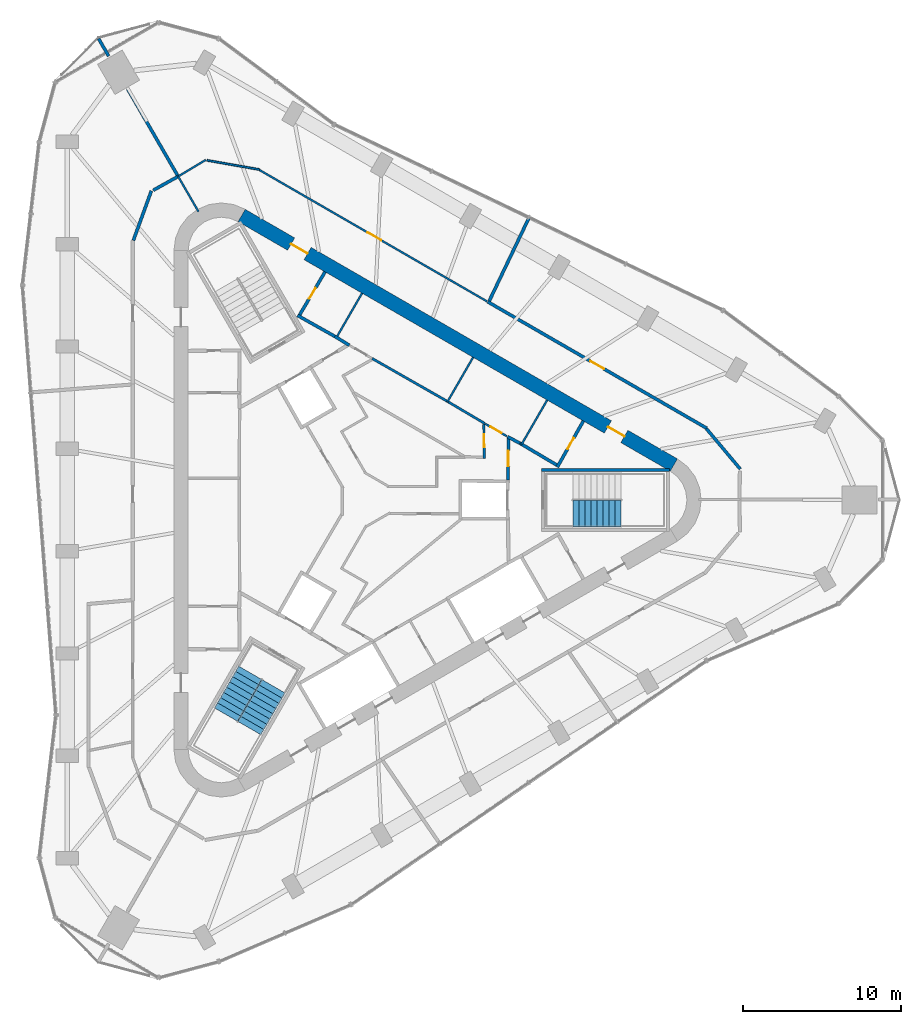
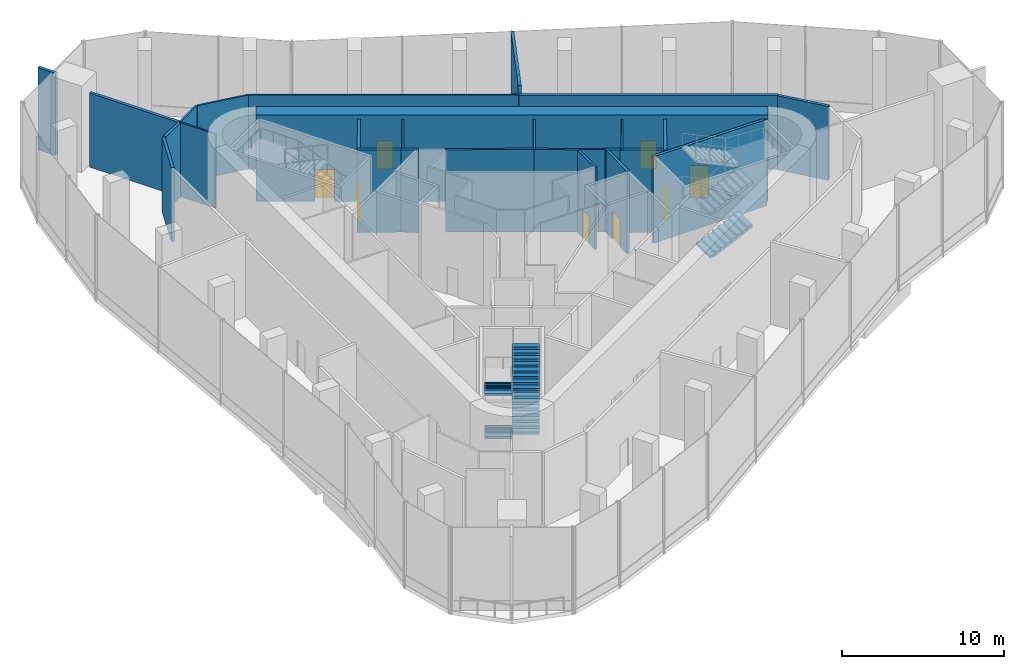
# One storey, part 10 of 13: 27 walls, 9 doors, 6 stair flights, 9 openings, 2 elements without a shape of their own.
"""IFC4 building model written with IfcOpenShell, lengths in metres."""

from ifc_helpers import new_model, si_unit, direction, frame, frame_2d, origin, place, context, subcontext, project, spatial, polyline, rectangle, outline, extrude, material, layer, layer_set, type_object, element, fill, aggregate, save


model = new_model("IFC4")

# Units and contexts
model_context = context("Model", 3, precision=1e-05, world=origin(), true_north=direction((0.0, 1.0)))
body_context = subcontext(model_context, "Body", "Model", "MODEL_VIEW")
ifc_project = project(units=[si_unit("LENGTHUNIT", "METRE"), si_unit("AREAUNIT", "SQUARE_METRE"), si_unit("VOLUMEUNIT", "CUBIC_METRE"), si_unit("PLANEANGLEUNIT", "RADIAN"), si_unit("MASSUNIT", "GRAM", prefix="KILO")], contexts=[model_context])

# Site, building, storey
site_placement = place(None, origin())
site = spatial("IfcSite", under=ifc_project, at=site_placement, CompositionType="ELEMENT")
building_placement = place(site_placement, origin())
building = spatial("IfcBuilding", under=site, at=building_placement, Name="Tanit Gate Tower", CompositionType="ELEMENT")
storey_placement = place(building_placement, frame((0.0, 0.0, 398.300048828125)))
storey = spatial("IfcBuildingStorey", under=building, at=storey_placement, Name="L91", CompositionType="ELEMENT", Elevation=398.300048828125)

# Wall, openings, doors
ifc_material_1 = material(Name="Concrete C40/50", Category="concrete")
ifc_layer_1 = layer(ifc_material_1, 0.89990234375)
ifc_layer_set_1 = layer_set([ifc_layer_1], Name="CORE WALL 900 C40/50")
wall_type_1 = type_object("IfcWallType", Name="CORE WALL 900 C40/50", PredefinedType="SHEAR", material=ifc_layer_set_1)
wall_1_placement = place(storey_placement, frame((19.47509765625, 2.20849609375, 0.0), z_axis=(0.0, 0.0, 1.0), x_axis=(-0.866028369851, 0.499994862586, 0.0)))
wall_1 = element("IfcWall", 1, at=wall_1_placement, inside=storey, type_object=wall_type_1, Name="CORE WALL", PredefinedType="SHEAR", context=body_context, shape_type="SweptSolid", body=[
    extrude(rectangle(XDim=31.523193359375, YDim=0.89990234375, at=frame_2d((15.76171875, 0.0))), origin(), (0.0, 0.0, 1.0), 6.5),
])
opening_1_placement = place(wall_1_placement, frame((3.611572265625, 0.0, 0.0)))
opening_1 = element("IfcOpeningElement", 2, at=opening_1_placement, cuts=wall_1, Name="Opening F12-91-FL1", PredefinedType="OPENING", context=body_context, shape_type="SweptSolid", body=[
    extrude(rectangle(XDim=1.199951171875, YDim=2.39990234375, at=frame_2d((0.60009765625, 1.199951171875))), frame((0.0, 0.4599609375, 0.0), z_axis=(0.0, -1.0, 0.0), x_axis=(1.0, 0.0, 0.0)), (0.0, 0.0, 1.0), 0.919921875),
])
opening_2_placement = place(wall_1_placement, frame((26.711669921875, 0.0, 0.0)))
opening_2 = element("IfcOpeningElement", 3, at=opening_2_placement, cuts=wall_1, Name="Opening F12-91-S2", PredefinedType="OPENING", context=body_context, shape_type="SweptSolid", body=[
    extrude(rectangle(XDim=1.199951171875, YDim=2.39990234375, at=frame_2d((0.60009765625, 1.199951171875))), frame((0.0, 0.4599609375, 0.0), z_axis=(0.0, -1.0, 0.0), x_axis=(1.0, 0.0, 0.0)), (0.0, 0.0, 1.0), 0.919921875),
])
ifc_material_2 = material(Name="Fire-rated steel door leaf", Category="steel")
door_type_1 = type_object("IfcDoorType", Name="INT-DOOR-FIRE-LOBBY-1200", OperationType="NOTDEFINED", PredefinedType="USERDEFINED", material=ifc_material_2)
door_1_placement = place(opening_1_placement, origin())
door_1 = element("IfcDoor", 4, at=door_1_placement, inside=storey, type_object=door_type_1, Name="Door F12-91-FL1", ObjectType="FIRE DOOR", OperationType="SINGLE_SWING_RIGHT", OverallHeight=2.39990234375, OverallWidth=1.199951171875, PredefinedType="USERDEFINED", context=body_context, shape_type="SweptSolid", body=[
    extrude(rectangle(XDim=1.199951171875, YDim=2.39990234375, at=frame_2d((0.60009765625, 1.199951171875))), frame((0.0, 0.02490234375, 0.0), z_axis=(0.0, -1.0, 0.0), x_axis=(1.0, 0.0, 0.0)), (0.0, 0.0, 1.0), 0.050048828125),
])
fill(opening_1, door_1)
door_2_placement = place(opening_2_placement, origin())
door_2 = element("IfcDoor", 5, at=door_2_placement, inside=storey, type_object=door_type_1, Name="Door F12-91-S2", ObjectType="FIRE DOOR", OperationType="SINGLE_SWING_RIGHT", OverallHeight=2.39990234375, OverallWidth=1.199951171875, PredefinedType="USERDEFINED", context=body_context, shape_type="SweptSolid", body=[
    extrude(rectangle(XDim=1.199951171875, YDim=2.39990234375, at=frame_2d((0.60009765625, 1.199951171875))), frame((0.0, 0.02490234375, 0.0), z_axis=(0.0, -1.0, 0.0), x_axis=(1.0, 0.0, 0.0)), (0.0, 0.0, 1.0), 0.050048828125),
])
fill(opening_2, door_2)

# Wall, opening, door
ifc_material_3 = material(Name="Fire-rated gypsum board partition")
ifc_layer_2 = layer(ifc_material_3, 0.199951171875)
ifc_layer_set_2 = layer_set([ifc_layer_2], Name="INT-WALL-COMPARTMENT")
wall_type_2 = type_object("IfcWallType", Name="INT-WALL-COMPARTMENT", PredefinedType="PARTITIONING", material=ifc_layer_set_2)
wall_2_placement = place(storey_placement, frame((12.10986328125, 2.07275390625, 0.0), z_axis=(0.0, 0.0, 1.0), x_axis=(0.49196600604, 0.870614408852, 0.0)))
wall_2 = element("IfcWall", 6, at=wall_2_placement, inside=storey, type_object=wall_type_2, Name="Wall Compartment W050", PredefinedType="PARTITIONING", context=body_context, shape_type="SweptSolid", body=[
    extrude(rectangle(XDim=3.35009765625, YDim=0.199951171875, at=frame_2d((1.675048828125, 0.0))), origin(), (0.0, 0.0, 1.0), 6.199951171875),
])
opening_3_placement = place(wall_2_placement, frame((1.3251953125, 0.0, 0.0)))
opening_3 = element("IfcOpeningElement", 7, at=opening_3_placement, cuts=wall_2, Name="Opening R08-91-19", PredefinedType="OPENING", context=body_context, shape_type="SweptSolid", body=[
    extrude(rectangle(XDim=0.800048828125, YDim=2.10009765625, at=frame_2d((0.39990234375, 1.050048828125))), frame((0.0, 0.10986328125, 0.0), z_axis=(0.0, -1.0, 0.0), x_axis=(1.0, 0.0, 0.0)), (0.0, 0.0, 1.0), 0.219970703125),
])
ifc_material_4 = material(Name="Timber door leaf", Category="wood")
door_type_2 = type_object("IfcDoorType", Name="INT-DOOR-RISER-800", OperationType="NOTDEFINED", PredefinedType="USERDEFINED", material=ifc_material_4)
door_3_placement = place(opening_3_placement, origin())
door_3 = element("IfcDoor", 8, at=door_3_placement, inside=storey, type_object=door_type_2, Name="Door R08-91-19", ObjectType="FIRE DOOR", OperationType="SINGLE_SWING_LEFT", OverallHeight=2.10009765625, OverallWidth=0.800048828125, PredefinedType="USERDEFINED", context=body_context, shape_type="SweptSolid", body=[
    extrude(rectangle(XDim=0.800048828125, YDim=2.10009765625, at=frame_2d((0.39990234375, 1.050048828125))), frame((0.0, 0.02490234375, 0.0), z_axis=(0.0, -1.0, 0.0), x_axis=(1.0, 0.0, 0.0)), (0.0, 0.0, 1.0), 0.050048828125),
])
fill(opening_3, door_3)

# Walls
wall_3_placement = place(storey_placement, frame((9.749755859375, 3.5869140625, 0.0), z_axis=(0.0, 0.0, 1.0), x_axis=(0.860414880418, -0.509594185166, 0.0)))
element("IfcWall", 9, at=wall_3_placement, inside=storey, type_object=wall_type_2, Name="Wall Compartment W051", PredefinedType="PARTITIONING", context=body_context, shape_type="SweptSolid", body=[
    extrude(rectangle(XDim=2.7001953125, YDim=0.199951171875, at=frame_2d((1.35009765625, 0.0))), origin(), (0.0, 0.0, 1.0), 6.199951171875),
])
wall_4_placement = place(storey_placement, frame((8.97412109375, 3.998779296875, 0.0), z_axis=(0.0, 0.0, 1.0), x_axis=(0.880917147855, -0.473270513147, 0.0)))
element("IfcWall", 10, at=wall_4_placement, inside=storey, type_object=wall_type_2, Name="Wall Compartment W053", PredefinedType="PARTITIONING", context=body_context, shape_type="SweptSolid", body=[
    extrude(rectangle(XDim=0.8779296875, YDim=0.199951171875, at=frame_2d((0.43896484375, 0.0))), origin(), (0.0, 0.0, 1.0), 6.199951171875),
])
wall_5_placement = place(storey_placement, frame((-1.940673828125, 10.338623046875, 0.0), z_axis=(0.0, 0.0, 1.0), x_axis=(0.850216889117, -0.526432561171, 0.0)))
element("IfcWall", 11, at=wall_5_placement, inside=storey, type_object=wall_type_2, Name="Wall Compartment W057", PredefinedType="PARTITIONING", context=body_context, shape_type="SweptSolid", body=[
    extrude(rectangle(XDim=1.078369140625, YDim=0.199951171875, at=frame_2d((0.5390625, 0.0))), origin(), (0.0, 0.0, 1.0), 6.199951171875),
])
wall_6_placement = place(storey_placement, frame((-4.296142578125, 11.658935546875, 0.0), z_axis=(0.0, 0.0, 1.0), x_axis=(0.871534483978, -0.490334215854, 0.0)))
element("IfcWall", 12, at=wall_6_placement, inside=storey, type_object=wall_type_2, Name="Wall Compartment W060", PredefinedType="PARTITIONING", context=body_context, shape_type="SweptSolid", body=[
    extrude(rectangle(XDim=2.7001953125, YDim=0.199951171875, at=frame_2d((1.35009765625, 0.0))), origin(), (0.0, 0.0, 1.0), 6.199951171875),
])

# Wall, opening, door
wall_7_placement = place(storey_placement, frame((-2.557861328125, 14.409423828125, 0.0), z_axis=(0.0, 0.0, 1.0), x_axis=(-0.508018930956, -0.861345903683, 0.0)))
wall_7 = element("IfcWall", 13, at=wall_7_placement, inside=storey, type_object=wall_type_2, Name="Wall Compartment W061", PredefinedType="PARTITIONING", context=body_context, shape_type="SweptSolid", body=[
    extrude(rectangle(XDim=3.150146484375, YDim=0.199951171875, at=frame_2d((1.5751953125, 0.0))), origin(), (0.0, 0.0, 1.0), 6.199951171875),
])
opening_4_placement = place(wall_7_placement, frame((1.175048828125, 0.0, 0.0)))
opening_4 = element("IfcOpeningElement", 14, at=opening_4_placement, cuts=wall_7, Name="Opening R08-91-22", PredefinedType="OPENING", context=body_context, shape_type="SweptSolid", body=[
    extrude(rectangle(XDim=0.800048828125, YDim=2.10009765625, at=frame_2d((0.39990234375, 1.050048828125))), frame((0.0, 0.10986328125, 0.0), z_axis=(0.0, -1.0, 0.0), x_axis=(1.0, 0.0, 0.0)), (0.0, 0.0, 1.0), 0.219970703125),
])
door_4_placement = place(opening_4_placement, origin())
door_4 = element("IfcDoor", 15, at=door_4_placement, inside=storey, type_object=door_type_2, Name="Door R08-91-22", ObjectType="FIRE DOOR", OperationType="SINGLE_SWING_RIGHT", OverallHeight=2.10009765625, OverallWidth=0.800048828125, PredefinedType="USERDEFINED", context=body_context, shape_type="SweptSolid", body=[
    extrude(rectangle(XDim=0.800048828125, YDim=2.10009765625, at=frame_2d((0.39990234375, 1.050048828125))), frame((0.0, 0.02490234375, 0.0), z_axis=(0.0, -1.0, 0.0), x_axis=(1.0, 0.0, 0.0)), (0.0, 0.0, 1.0), 0.050048828125),
])
fill(opening_4, door_4)

wall_8_placement = place(storey_placement, frame((9.0009765625, 1.27001953125, 0.0), z_axis=(0.0, 0.0, 1.0), x_axis=(0.010723968736, 0.999942496594, 0.0)))
wall_8 = element("IfcWall", 16, at=wall_8_placement, inside=storey, type_object=wall_type_2, Name="Wall Compartment W068", PredefinedType="PARTITIONING", context=body_context, shape_type="SweptSolid", body=[
    extrude(rectangle(XDim=2.709228515625, YDim=0.199951171875, at=frame_2d((1.3544921875, 0.0))), origin(), (0.0, 0.0, 1.0), 6.199951171875),
])
opening_5_placement = place(wall_8_placement, frame((0.848388671875, 0.0, 0.0)))
opening_5 = element("IfcOpeningElement", 17, at=opening_5_placement, cuts=wall_8, Name="Opening F10-91-02", PredefinedType="OPENING", context=body_context, shape_type="SweptSolid", body=[
    extrude(rectangle(XDim=1.0, YDim=2.10009765625, at=frame_2d((0.5, 1.050048828125))), frame((0.0, 0.10986328125, 0.0), z_axis=(0.0, -1.0, 0.0), x_axis=(1.0, 0.0, 0.0)), (0.0, 0.0, 1.0), 0.219970703125),
])
ifc_material_5 = material(Name="Fire-rated steel door leaf", Category="steel")
door_type_3 = type_object("IfcDoorType", Name="INT-DOOR-FIRE-1000", OperationType="NOTDEFINED", PredefinedType="USERDEFINED", material=ifc_material_5)
door_5_placement = place(opening_5_placement, origin())
door_5 = element("IfcDoor", 18, at=door_5_placement, inside=storey, type_object=door_type_3, Name="Door F10-91-02", ObjectType="FIRE DOOR", OperationType="SINGLE_SWING_RIGHT", OverallHeight=2.10009765625, OverallWidth=1.0, PredefinedType="USERDEFINED", context=body_context, shape_type="SweptSolid", body=[
    extrude(rectangle(XDim=1.0, YDim=2.10009765625, at=frame_2d((0.5, 1.050048828125))), frame((0.0, 0.02490234375, 0.0), z_axis=(0.0, -1.0, 0.0), x_axis=(1.0, 0.0, 0.0)), (0.0, 0.0, 1.0), 0.050048828125),
])
fill(opening_5, door_5)

# Walls
wall_9_placement = place(storey_placement, frame((-13.527099609375, 19.522216796875, 0.0), z_axis=(0.0, 0.0, 1.0), x_axis=(-0.341978542333, -0.939707761266, 0.0)))
element("IfcWall", 19, at=wall_9_placement, inside=storey, type_object=wall_type_2, Name="Wall Compartment W097", PredefinedType="PARTITIONING", context=body_context, shape_type="SweptSolid", body=[
    extrude(rectangle(XDim=3.32958984375, YDim=0.199951171875, at=frame_2d((1.664794921875, 0.0))), origin(), (0.0, 0.0, 1.0), 5.570068359375),
])
wall_10_placement = place(storey_placement, frame((-11.80810546875, 20.4521484375, 0.0), z_axis=(0.0, 0.0, 1.0), x_axis=(-0.873514477635, -0.486798169021, 0.0)))
element("IfcWall", 20, at=wall_10_placement, inside=storey, type_object=wall_type_2, Name="Wall Compartment W098", PredefinedType="PARTITIONING", context=body_context, shape_type="SweptSolid", body=[
    extrude(rectangle(XDim=1.82958984375, YDim=0.199951171875, at=frame_2d((0.914794921875, 0.0))), origin(), (0.0, 0.0, 1.0), 5.570068359375),
])
wall_11_placement = place(storey_placement, frame((-16.857666015625, 29.138427734375, 0.0), z_axis=(0.0, 0.0, 1.0), x_axis=(0.499950289094, -0.866054102487, 0.0)))
element("IfcWall", 21, at=wall_11_placement, inside=storey, type_object=wall_type_2, Name="Wall Compartment W107", PredefinedType="PARTITIONING", context=body_context, shape_type="SweptSolid", body=[
    extrude(rectangle(XDim=1.267822265625, YDim=0.199951171875, at=frame_2d((0.6337890625, 0.0))), origin(), (0.0, 0.0, 1.0), 6.199951171875),
])
wall_12_placement = place(storey_placement, frame((-15.02392578125, 25.962158203125, 0.0), z_axis=(0.0, 0.0, 1.0), x_axis=(0.499993152284, -0.866029357279, 0.0)))
element("IfcWall", 22, at=wall_12_placement, inside=storey, type_object=wall_type_2, Name="Wall Compartment W108", PredefinedType="PARTITIONING", context=body_context, shape_type="SweptSolid", body=[
    extrude(rectangle(XDim=6.349609375, YDim=0.199951171875, at=frame_2d((3.1748046875, 0.0))), origin(), (0.0, 0.0, 1.0), 5.570068359375),
])

# Wall, opening, door
wall_13_placement = place(storey_placement, frame((21.55224609375, 4.53076171875, 0.0), z_axis=(0.0, 0.0, 1.0), x_axis=(-0.86602469383, 0.500001229675, 0.0)))
wall_13 = element("IfcWall", 23, at=wall_13_placement, inside=storey, type_object=wall_type_2, Name="Wall Compartment W119", PredefinedType="PARTITIONING", context=body_context, shape_type="SweptSolid", body=[
    extrude(rectangle(XDim=15.97021484375, YDim=0.199951171875, at=frame_2d((7.985107421875, 0.0))), origin(), (0.0, 0.0, 1.0), 5.570068359375),
])
opening_6_placement = place(wall_13_placement, frame((7.5, 0.0, 0.0)))
opening_6 = element("IfcOpeningElement", 24, at=opening_6_placement, cuts=wall_13, Name="Opening F10-91-30", PredefinedType="OPENING", context=body_context, shape_type="SweptSolid", body=[
    extrude(rectangle(XDim=1.0, YDim=2.10009765625, at=frame_2d((0.5, 1.050048828125))), frame((0.0, 0.10986328125, 0.0), z_axis=(0.0, -1.0, 0.0), x_axis=(1.0, 0.0, 0.0)), (0.0, 0.0, 1.0), 0.219970703125),
])
door_6_placement = place(opening_6_placement, origin())
door_6 = element("IfcDoor", 25, at=door_6_placement, inside=storey, type_object=door_type_3, Name="Door F10-91-30", ObjectType="FIRE DOOR", OperationType="SINGLE_SWING_RIGHT", OverallHeight=2.10009765625, OverallWidth=1.0, PredefinedType="USERDEFINED", context=body_context, shape_type="SweptSolid", body=[
    extrude(rectangle(XDim=1.0, YDim=2.10009765625, at=frame_2d((0.5, 1.050048828125))), frame((0.0, 0.02490234375, 0.0), z_axis=(0.0, -1.0, 0.0), x_axis=(1.0, 0.0, 0.0)), (0.0, 0.0, 1.0), 0.050048828125),
])
fill(opening_6, door_6)

# Walls
wall_14_placement = place(storey_placement, frame((23.670166015625, 1.95361328125, 0.0), z_axis=(0.0, 0.0, 1.0), x_axis=(-0.642784432045, 0.766047109466, 0.0)))
element("IfcWall", 26, at=wall_14_placement, inside=storey, type_object=wall_type_2, Name="Wall Compartment W120", PredefinedType="PARTITIONING", context=body_context, shape_type="SweptSolid", body=[
    extrude(rectangle(XDim=3.32958984375, YDim=0.199951171875, at=frame_2d((1.664794921875, 0.0))), origin(), (0.0, 0.0, 1.0), 5.570068359375),
])
wall_15_placement = place(storey_placement, frame((7.817138671875, 12.576416015625, 0.0), z_axis=(0.0, 0.0, 1.0), x_axis=(0.43107042423, 0.902318286058, 0.0)))
element("IfcWall", 27, at=wall_15_placement, inside=storey, type_object=wall_type_2, Name="Wall Compartment W126", PredefinedType="PARTITIONING", context=body_context, shape_type="SweptSolid", body=[
    extrude(rectangle(XDim=5.83349609375, YDim=0.199951171875, at=frame_2d((2.916748046875, 0.0))), origin(), (0.0, 0.0, 1.0), 6.199951171875),
])
ifc_material_6 = material(Name="Gypsum board partition")
ifc_layer_3 = layer(ifc_material_6, 0.1201171875)
ifc_layer_set_3 = layer_set([ifc_layer_3], Name="INT-WALL-PARTITION")
wall_type_3 = type_object("IfcWallType", Name="INT-WALL-PARTITION", PredefinedType="PARTITIONING", material=ifc_layer_set_3)
for number, where, z_axis, x_axis, name in (
    (28, (9.8466796875, 3.494873046875, 0.0), (0.0, 0.0, 1.0), (0.499984717929, 0.866034226713, 0.0), "Wall Partition W049"),
    (29, (5.170166015625, 6.19482421875, 0.0), (0.0, 0.0, 1.0), (0.499984717929, 0.866034226713, 0.0), "Wall Partition W052"),
):
    element("IfcWall", number, at=place(storey_placement, frame(where, z_axis=z_axis, x_axis=x_axis)), inside=storey, type_object=wall_type_3, Name=name, PredefinedType="PARTITIONING", context=body_context, shape_type="SweptSolid", body=[
        extrude(rectangle(XDim=3.25, YDim=0.1201171875, at=frame_2d((1.625, 0.0))), origin(), (0.0, 0.0, 1.0), 6.199951171875),
    ])

# Wall, opening, door
wall_16_placement = place(storey_placement, frame((7.550048828125, 4.82080078125, 0.0), z_axis=(0.0, 0.0, 1.0), x_axis=(0.866019818373, -0.500009674092, 0.0)))
wall_16 = element("IfcWall", 30, at=wall_16_placement, inside=storey, type_object=wall_type_3, Name="Wall Partition W055", PredefinedType="PARTITIONING", context=body_context, shape_type="SweptSolid", body=[
    extrude(rectangle(XDim=1.59423828125, YDim=0.1201171875, at=frame_2d((0.797119140625, 0.0))), origin(), (0.0, 0.0, 1.0), 6.199951171875),
])
opening_7_placement = place(wall_16_placement, frame((0.397216796875, 0.0, 0.0)))
opening_7 = element("IfcOpeningElement", 31, at=opening_7_placement, cuts=wall_16, Name="Opening R08-91-20", PredefinedType="OPENING", context=body_context, shape_type="SweptSolid", body=[
    extrude(rectangle(XDim=0.800048828125, YDim=2.10009765625, at=frame_2d((0.39990234375, 1.050048828125))), frame((0.0, 0.070068359375, 0.0), z_axis=(0.0, -1.0, 0.0), x_axis=(1.0, 0.0, 0.0)), (0.0, 0.0, 1.0), 0.14013671875),
])
door_7_placement = place(opening_7_placement, origin())
door_7 = element("IfcDoor", 32, at=door_7_placement, inside=storey, type_object=door_type_2, Name="Door R08-91-20", ObjectType="FIRE DOOR", OperationType="SINGLE_SWING_RIGHT", OverallHeight=2.10009765625, OverallWidth=0.800048828125, PredefinedType="USERDEFINED", context=body_context, shape_type="SweptSolid", body=[
    extrude(rectangle(XDim=0.800048828125, YDim=2.10009765625, at=frame_2d((0.39990234375, 1.050048828125))), frame((0.0, 0.02490234375, 0.0), z_axis=(0.0, -1.0, 0.0), x_axis=(1.0, 0.0, 0.0)), (0.0, 0.0, 1.0), 0.050048828125),
])
fill(opening_7, door_7)

# Walls
wall_17_placement = place(storey_placement, frame((-0.2197265625, 13.0595703125, 0.0), z_axis=(0.0, 0.0, 1.0), x_axis=(-0.499984717929, -0.866034226713, 0.0)))
element("IfcWall", 33, at=wall_17_placement, inside=storey, type_object=wall_type_3, Name="Wall Partition W056", PredefinedType="PARTITIONING", context=body_context, shape_type="SweptSolid", body=[
    extrude(rectangle(XDim=3.25, YDim=0.1201171875, at=frame_2d((1.625, 0.0))), origin(), (0.0, 0.0, 1.0), 6.199951171875),
])
wall_18_placement = place(storey_placement, frame((-11.84912109375, 20.463134765625, 0.0), z_axis=(0.0, 0.0, 1.0), x_axis=(0.500047596559, -0.865997922154, 0.0)))
element("IfcWall", 34, at=wall_18_placement, inside=storey, type_object=wall_type_3, Name="Wall Partition W104", PredefinedType="PARTITIONING", context=body_context, shape_type="SweptSolid", body=[
    extrude(rectangle(XDim=2.599853515625, YDim=0.1201171875, at=frame_2d((1.2998046875, 0.0))), origin(), (0.0, 0.0, 1.0), 5.570068359375),
])
wall_19_placement = place(storey_placement, frame((-10.087158203125, 21.480712890625, 0.0), z_axis=(0.0, 0.0, 1.0), x_axis=(-0.858372726575, -0.513026570728, 0.0)))
element("IfcWall", 35, at=wall_19_placement, inside=storey, type_object=wall_type_3, Name="Wall Partition W122", PredefinedType="PARTITIONING", context=body_context, shape_type="SweptSolid", body=[
    extrude(rectangle(XDim=2.0048828125, YDim=0.1201171875, at=frame_2d((1.00244140625, 0.0))), origin(), (0.0, 0.0, 1.0), 5.570068359375),
])
wall_20_placement = place(storey_placement, frame((-6.70654296875, 20.869873046875, 0.0), z_axis=(0.0, 0.0, 1.0), x_axis=(-0.984811337603, 0.173627847217, 0.0)))
element("IfcWall", 36, at=wall_20_placement, inside=storey, type_object=wall_type_3, Name="Wall Partition W123", PredefinedType="PARTITIONING", context=body_context, shape_type="SweptSolid", body=[
    extrude(rectangle(XDim=3.360595703125, YDim=0.1201171875, at=frame_2d((1.68017578125, 0.0))), origin(), (0.0, 0.0, 1.0), 5.570068359375),
])

# Wall, opening, door
wall_21_placement = place(storey_placement, frame((7.68701171875, 12.5361328125, 0.0), z_axis=(0.0, 0.0, 1.0), x_axis=(-0.866029110027, 0.499993580544, 0.0)))
wall_21 = element("IfcWall", 37, at=wall_21_placement, inside=storey, type_object=wall_type_3, Name="Wall Partition W124", PredefinedType="PARTITIONING", context=body_context, shape_type="SweptSolid", body=[
    extrude(rectangle(XDim=16.628662109375, YDim=0.1201171875, at=frame_2d((8.314453125, 0.0))), origin(), (0.0, 0.0, 1.0), 5.570068359375),
])
opening_8_placement = place(wall_21_placement, frame((7.73193359375, 0.0, 0.0)))
opening_8 = element("IfcOpeningElement", 38, at=opening_8_placement, cuts=wall_21, Name="Opening D10-91-31", PredefinedType="OPENING", context=body_context, shape_type="SweptSolid", body=[
    extrude(rectangle(XDim=1.0, YDim=2.10009765625, at=frame_2d((0.5, 1.050048828125))), frame((0.0, 0.070068359375, 0.0), z_axis=(0.0, -1.0, 0.0), x_axis=(1.0, 0.0, 0.0)), (0.0, 0.0, 1.0), 0.14013671875),
])
ifc_material_7 = material(Name="Timber door leaf", Category="wood")
door_type_4 = type_object("IfcDoorType", Name="INT-DOOR-SINGLE-1000", OperationType="NOTDEFINED", PredefinedType="NOTDEFINED", material=ifc_material_7)
door_8_placement = place(opening_8_placement, origin())
door_8 = element("IfcDoor", 39, at=door_8_placement, inside=storey, type_object=door_type_4, Name="Door D10-91-31", OperationType="SINGLE_SWING_LEFT", OverallHeight=2.10009765625, OverallWidth=1.0, PredefinedType="NOTDEFINED", context=body_context, shape_type="SweptSolid", body=[
    extrude(rectangle(XDim=1.0, YDim=2.10009765625, at=frame_2d((0.5, 1.050048828125))), frame((0.0, 0.02490234375, 0.0), z_axis=(0.0, -1.0, 0.0), x_axis=(1.0, 0.0, 0.0)), (0.0, 0.0, 1.0), 0.050048828125),
])
fill(opening_8, door_8)

# Walls
ifc_material_8 = material(Name="Fire-rated gypsum board partition")
ifc_layer_4 = layer(ifc_material_8, 0.14990234375)
ifc_layer_set_4 = layer_set([ifc_layer_4], Name="INT-WALL-RISER")
wall_type_4 = type_object("IfcWallType", Name="INT-WALL-RISER", PredefinedType="PLUMBINGWALL", material=ifc_layer_set_4)
wall_22_placement = place(storey_placement, frame((7.530029296875, 4.83251953125, 0.0), z_axis=(0.0, 0.0, 1.0), x_axis=(-0.860550523279, 0.509365091938, 0.0)))
element("IfcWall", 40, at=wall_22_placement, inside=storey, type_object=wall_type_4, Name="Wall Riser W054", PredefinedType="PLUMBINGWALL", context=body_context, shape_type="SweptSolid", body=[
    extrude(rectangle(XDim=2.755126953125, YDim=0.14990234375, at=frame_2d((1.37744140625, 0.0))), origin(), (0.0, 0.0, 1.0), 6.199951171875),
])
wall_23_placement = place(storey_placement, frame((0.419921875, 8.9375, 0.0), z_axis=(0.0, 0.0, 1.0), x_axis=(0.868754934783, -0.495242226886, 0.0)))
element("IfcWall", 41, at=wall_23_placement, inside=storey, type_object=wall_type_4, Name="Wall Riser W058", PredefinedType="PLUMBINGWALL", context=body_context, shape_type="SweptSolid", body=[
    extrude(rectangle(XDim=5.455322265625, YDim=0.14990234375, at=frame_2d((2.7275390625, 0.0))), origin(), (0.0, 0.0, 1.0), 6.199951171875),
])

# Wall, opening, door
wall_24_placement = place(storey_placement, frame((7.5009765625, 2.625, 0.0), z_axis=(0.0, 0.0, 1.0), x_axis=(-0.011799927307, 0.999930378434, 0.0)))
wall_24 = element("IfcWall", 42, at=wall_24_placement, inside=storey, type_object=wall_type_4, Name="Wall Riser W087", PredefinedType="PLUMBINGWALL", context=body_context, shape_type="SweptSolid", body=[
    extrude(rectangle(XDim=2.15185546875, YDim=0.14990234375, at=frame_2d((1.075927734375, 0.0))), origin(), (0.0, 0.0, 1.0), 6.199951171875),
])
opening_9_placement = place(wall_24_placement, frame((0.71337890625, 0.0, 0.0)))
opening_9 = element("IfcOpeningElement", 43, at=opening_9_placement, cuts=wall_24, Name="Opening R08-91-13", PredefinedType="OPENING", context=body_context, shape_type="SweptSolid", body=[
    extrude(rectangle(XDim=0.800048828125, YDim=2.10009765625, at=frame_2d((0.39990234375, 1.050048828125))), frame((0.0, 0.0849609375, 0.0), z_axis=(0.0, -1.0, 0.0), x_axis=(1.0, 0.0, 0.0)), (0.0, 0.0, 1.0), 0.169921875),
])
door_9_placement = place(opening_9_placement, origin())
door_9 = element("IfcDoor", 44, at=door_9_placement, inside=storey, type_object=door_type_2, Name="Door R08-91-13", ObjectType="FIRE DOOR", OperationType="SINGLE_SWING_LEFT", OverallHeight=2.10009765625, OverallWidth=0.800048828125, PredefinedType="USERDEFINED", context=body_context, shape_type="SweptSolid", body=[
    extrude(rectangle(XDim=0.800048828125, YDim=2.10009765625, at=frame_2d((0.39990234375, 1.050048828125))), frame((0.0, 0.02490234375, 0.0), z_axis=(0.0, -1.0, 0.0), x_axis=(1.0, 0.0, 0.0)), (0.0, 0.0, 1.0), 0.050048828125),
])
fill(opening_9, door_9)

# Wall
ifc_material_9 = material(Name="Concrete C40/50", Category="concrete")
ifc_layer_5 = layer(ifc_material_9, 0.199951171875)
ifc_layer_set_5 = layer_set([ifc_layer_5], Name="INT-WALL-STAIR")
wall_type_5 = type_object("IfcWallType", Name="INT-WALL-STAIR", PredefinedType="SHEAR", material=ifc_layer_set_5)
wall_25_placement = place(storey_placement, frame((19.199951171875, 1.89990234375, -0.300048828125), z_axis=(0.0, 0.0, 1.0), x_axis=(-1.0, 0.0, 0.0)))
element("IfcWall", 45, at=wall_25_placement, inside=storey, type_object=wall_type_5, Name="Wall Stair W011", PredefinedType="SHEAR", context=body_context, shape_type="SweptSolid", body=[
    extrude(rectangle(XDim=8.099853515625, YDim=0.199951171875, at=frame_2d((4.0498046875, 0.0))), origin(), (0.0, 0.0, 1.0), 6.5),
])

# Stair, stair flights
ifc_material_10 = material(Name="Concrete C40/50", Category="concrete")
stair_type = type_object("IfcStairType", Name="INT-STAIR-EXIT", PredefinedType="HALF_TURN_STAIR", material=ifc_material_10)
stair_1_placement = place(storey_placement, origin())
stair_1 = element("IfcStair", 46, at=stair_1_placement, inside=storey, type_object=stair_type, Name="L91 STAIR S1", PredefinedType="HALF_TURN_STAIR")
ifc_material_11 = material(Name="Concrete C40/50", Category="concrete")
stair_flight_type = type_object("IfcStairFlightType", Name="INT-STAIR-FLIGHT", PredefinedType="STRAIGHT", material=ifc_material_11)
stair_flight_1_placement = place(storey_placement, frame((13.094970703125, -0.8525390625, 0.0), z_axis=(0.0, 0.0, 1.0), x_axis=(1.0, 0.0, 0.0)))
stair_flight_1 = element("IfcStairFlight", 47, at=stair_flight_1_placement, type_object=stair_flight_type, Name="S1 flight 1", NumberOfRisers=9, NumberOfTreads=8, PredefinedType="STRAIGHT", RiserHeight=0.180555556, TreadLength=0.381375, context=body_context, shape_type="SweptSolid", body=[
    extrude(outline(polyline([(0.0, 0.0), (0.0, 0.1806640625), (0.38134765625, 0.1806640625), (0.38134765625, 0.361083984375), (0.7626953125, 0.361083984375), (0.7626953125, 0.541748046875), (1.14404296875, 0.541748046875), (1.14404296875, 0.72216796875), (1.525390625, 0.72216796875), (1.525390625, 0.90283203125), (1.906982421875, 0.90283203125), (1.906982421875, 1.083251953125), (2.288330078125, 1.083251953125), (2.288330078125, 1.263916015625), (2.669677734375, 1.263916015625), (2.669677734375, 1.4443359375), (3.051025390625, 1.4443359375), (3.051025390625, 1.625), (3.051025390625, 1.278564453125), (0.350341796875, 0.0), (0.0, 0.0)])), frame((0.0, 0.84765625, 0.0), z_axis=(0.0, -1.0, 0.0), x_axis=(1.0, 0.0, 0.0)), (0.0, 0.0, 1.0), 1.695068359375),
])
stair_flight_2_placement = place(storey_placement, frame((13.094970703125, -0.8525390625, 3.25), z_axis=(0.0, 0.0, 1.0), x_axis=(1.0, 0.0, 0.0)))
stair_flight_2 = element("IfcStairFlight", 48, at=stair_flight_2_placement, type_object=stair_flight_type, Name="S1 flight 3", NumberOfRisers=9, NumberOfTreads=8, PredefinedType="STRAIGHT", RiserHeight=0.180555556, TreadLength=0.381375, context=body_context, shape_type="SweptSolid", body=[
    extrude(outline(polyline([(0.0, 0.0), (0.0, 0.1806640625), (0.38134765625, 0.1806640625), (0.38134765625, 0.361083984375), (0.7626953125, 0.361083984375), (0.7626953125, 0.541748046875), (1.14404296875, 0.541748046875), (1.14404296875, 0.72216796875), (1.525390625, 0.72216796875), (1.525390625, 0.90283203125), (1.906982421875, 0.90283203125), (1.906982421875, 1.083251953125), (2.288330078125, 1.083251953125), (2.288330078125, 1.263916015625), (2.669677734375, 1.263916015625), (2.669677734375, 1.4443359375), (3.051025390625, 1.4443359375), (3.051025390625, 1.625), (3.051025390625, 1.278564453125), (0.350341796875, 0.0), (0.0, 0.0)])), frame((0.0, 0.84765625, 0.0), z_axis=(0.0, -1.0, 0.0), x_axis=(1.0, 0.0, 0.0)), (0.0, 0.0, 1.0), 1.695068359375),
])
aggregate(stair_1, [stair_flight_1, stair_flight_2])

stair_2_placement = place(storey_placement, origin())
stair_2 = element("IfcStair", 49, at=stair_2_placement, inside=storey, type_object=stair_type, Name="L91 STAIR S3", PredefinedType="HALF_TURN_STAIR")
stair_flight_3_placement = place(storey_placement, frame((-7.285888671875, -10.914306640625, 0.0), z_axis=(0.0, 0.0, 1.0), x_axis=(-0.5, -0.866025403784, 0.0)))
stair_flight_3 = element("IfcStairFlight", 50, at=stair_flight_3_placement, type_object=stair_flight_type, Name="S3 flight 1", NumberOfRisers=9, NumberOfTreads=8, PredefinedType="STRAIGHT", RiserHeight=0.180555556, TreadLength=0.381375, context=body_context, shape_type="SweptSolid", body=[
    extrude(outline(polyline([(0.0, 0.0), (0.0, 0.1806640625), (0.38134765625, 0.1806640625), (0.38134765625, 0.361083984375), (0.7626953125, 0.361083984375), (0.7626953125, 0.541748046875), (1.14404296875, 0.541748046875), (1.14404296875, 0.72216796875), (1.525390625, 0.72216796875), (1.525390625, 0.90283203125), (1.906982421875, 0.90283203125), (1.906982421875, 1.083251953125), (2.288330078125, 1.083251953125), (2.288330078125, 1.263916015625), (2.669677734375, 1.263916015625), (2.669677734375, 1.4443359375), (3.051025390625, 1.4443359375), (3.051025390625, 1.625), (3.051025390625, 1.278564453125), (0.350341796875, 0.0), (0.0, 0.0)])), frame((0.0, 0.84765625, 0.0), z_axis=(0.0, -1.0, 0.0), x_axis=(1.0, 0.0, 0.0)), (0.0, 0.0, 1.0), 1.695068359375),
])
stair_flight_4_placement = place(storey_placement, frame((-7.334716796875, -14.4091796875, 1.625), z_axis=(0.0, 0.0, 1.0), x_axis=(0.5, 0.866025403784, 0.0)))
stair_flight_4 = element("IfcStairFlight", 51, at=stair_flight_4_placement, type_object=stair_flight_type, Name="S3 flight 2", NumberOfRisers=9, NumberOfTreads=8, PredefinedType="STRAIGHT", RiserHeight=0.180555556, TreadLength=0.381375, context=body_context, shape_type="SweptSolid", body=[
    extrude(outline(polyline([(0.0, 0.0), (0.0, 0.1806640625), (0.38134765625, 0.1806640625), (0.38134765625, 0.361083984375), (0.7626953125, 0.361083984375), (0.7626953125, 0.541748046875), (1.14404296875, 0.541748046875), (1.14404296875, 0.72216796875), (1.525390625, 0.72216796875), (1.525390625, 0.90283203125), (1.906982421875, 0.90283203125), (1.906982421875, 1.083251953125), (2.288330078125, 1.083251953125), (2.288330078125, 1.263916015625), (2.669677734375, 1.263916015625), (2.669677734375, 1.4443359375), (3.051025390625, 1.4443359375), (3.051025390625, 1.625), (3.051025390625, 1.278564453125), (0.350341796875, 0.0), (0.0, 0.0)])), frame((0.0, 0.84765625, 0.0), z_axis=(0.0, -1.0, 0.0), x_axis=(1.0, 0.0, 0.0)), (0.0, 0.0, 1.0), 1.695068359375),
])
stair_flight_5_placement = place(storey_placement, frame((-7.285888671875, -10.914306640625, 3.25), z_axis=(0.0, 0.0, 1.0), x_axis=(-0.5, -0.866025403784, 0.0)))
stair_flight_5 = element("IfcStairFlight", 52, at=stair_flight_5_placement, type_object=stair_flight_type, Name="S3 flight 3", NumberOfRisers=9, NumberOfTreads=8, PredefinedType="STRAIGHT", RiserHeight=0.180555556, TreadLength=0.381375, context=body_context, shape_type="SweptSolid", body=[
    extrude(outline(polyline([(0.0, 0.0), (0.0, 0.1806640625), (0.38134765625, 0.1806640625), (0.38134765625, 0.361083984375), (0.7626953125, 0.361083984375), (0.7626953125, 0.541748046875), (1.14404296875, 0.541748046875), (1.14404296875, 0.72216796875), (1.525390625, 0.72216796875), (1.525390625, 0.90283203125), (1.906982421875, 0.90283203125), (1.906982421875, 1.083251953125), (2.288330078125, 1.083251953125), (2.288330078125, 1.263916015625), (2.669677734375, 1.263916015625), (2.669677734375, 1.4443359375), (3.051025390625, 1.4443359375), (3.051025390625, 1.625), (3.051025390625, 1.278564453125), (0.350341796875, 0.0), (0.0, 0.0)])), frame((0.0, 0.84765625, 0.0), z_axis=(0.0, -1.0, 0.0), x_axis=(1.0, 0.0, 0.0)), (0.0, 0.0, 1.0), 1.695068359375),
])
stair_flight_6_placement = place(storey_placement, frame((-7.334716796875, -14.4091796875, 4.875), z_axis=(0.0, 0.0, 1.0), x_axis=(0.5, 0.866025403784, 0.0)))
stair_flight_6 = element("IfcStairFlight", 53, at=stair_flight_6_placement, type_object=stair_flight_type, Name="S3 flight 4", NumberOfRisers=9, NumberOfTreads=8, PredefinedType="STRAIGHT", RiserHeight=0.180555556, TreadLength=0.381375, context=body_context, shape_type="SweptSolid", body=[
    extrude(outline(polyline([(0.0, 0.0), (0.0, 0.1806640625), (0.38134765625, 0.1806640625), (0.38134765625, 0.361083984375), (0.7626953125, 0.361083984375), (0.7626953125, 0.541748046875), (1.14404296875, 0.541748046875), (1.14404296875, 0.72216796875), (1.525390625, 0.72216796875), (1.525390625, 0.90283203125), (1.906982421875, 0.90283203125), (1.906982421875, 1.083251953125), (2.288330078125, 1.083251953125), (2.288330078125, 1.263916015625), (2.669677734375, 1.263916015625), (2.669677734375, 1.4443359375), (3.051025390625, 1.4443359375), (3.051025390625, 1.625), (3.051025390625, 1.278564453125), (0.350341796875, 0.0), (0.0, 0.0)])), frame((0.0, 0.84765625, 0.0), z_axis=(0.0, -1.0, 0.0), x_axis=(1.0, 0.0, 0.0)), (0.0, 0.0, 1.0), 1.695068359375),
])
aggregate(stair_2, [stair_flight_3, stair_flight_4, stair_flight_5, stair_flight_6])

save(model, "model.ifc")
